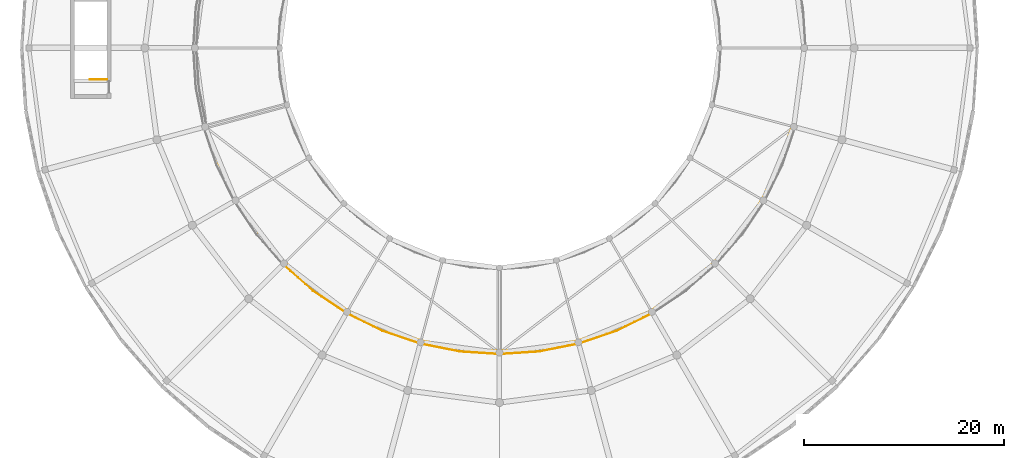
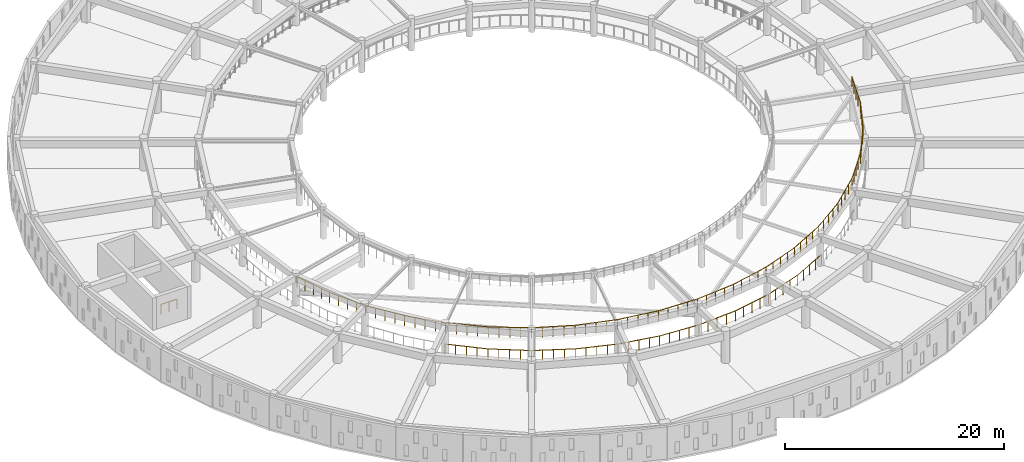
# One storey, part 128 of 155: 3 railings.
"""IFC4 building model written with IfcOpenShell, lengths in metres."""

from ifc_helpers import new_model, si_unit, direction, frame, origin, origin_2d, place, context, subcontext, project, spatial, circle, extrude, material, type_object, element, save


model = new_model("IFC4")

# Units and contexts
model_context = context("Model", 3, precision=1e-05, world=origin(), true_north=direction((0.0, 1.0)))
body_context = subcontext(model_context, "Body", "Model", "MODEL_VIEW")
ifc_project = project(units=[si_unit("LENGTHUNIT", "METRE"), si_unit("AREAUNIT", "SQUARE_METRE"), si_unit("VOLUMEUNIT", "CUBIC_METRE"), si_unit("PLANEANGLEUNIT", "RADIAN"), si_unit("MASSUNIT", "GRAM", prefix="KILO")], contexts=[model_context])

# Site, building, storey
site_placement = place(None, origin())
site = spatial("IfcSite", under=ifc_project, at=site_placement, CompositionType="ELEMENT")
building_placement = place(site_placement, origin())
building = spatial("IfcBuilding", under=site, at=building_placement, Name="Larkveld Mobility Hub", CompositionType="ELEMENT")
storey_placement = place(building_placement, frame((0.0, 0.0, 8.39990234375)))
storey = spatial("IfcBuildingStorey", under=building, at=storey_placement, Name="L02", CompositionType="ELEMENT", Elevation=8.39990234375)

# Railings
ifc_material_1 = material(Name="Galvanized Steel S355JR balustrade", Category="steel")
railing_type_1 = type_object("IfcRailingType", Name="RL-GRD-1100", PredefinedType="GUARDRAIL", material=ifc_material_1)
railing_1_placement = place(storey_placement, frame((8.699951171875, 44.85009765625, 0.0)))
element("IfcRailing", 1, at=railing_1_placement, inside=storey, type_object=railing_type_1, Name="L02 ST7 top well guard 1", PredefinedType="GUARDRAIL", context=body_context, shape_type="SweptSolid", body=[
    extrude(circle(Radius=0.02392578125, at=origin_2d()), frame((0.0, 0.0, 1.076171875), z_axis=(-1.0, 0.0, 0.0), x_axis=(0.0, -1.0, 0.0)), (0.0, 0.0, 1.0), 1.699951171875),
    extrude(circle(Radius=0.02099609375, at=origin_2d()), origin(), (0.0, 0.0, 1.0), 1.052001953125),
    extrude(circle(Radius=0.02099609375, at=origin_2d()), frame((-0.85009765625, 0.0, 0.0)), (0.0, 0.0, 1.0), 1.052001953125),
    extrude(circle(Radius=0.02099609375, at=origin_2d()), frame((-1.699951171875, 0.0, 0.0)), (0.0, 0.0, 1.0), 1.052001953125),
])
ifc_material_2 = material(Name="Anodized aluminium 6063-T6 balustrade", Category="aluminium")
railing_type_2 = type_object("IfcRailingType", Name="RL-GRD-1150", PredefinedType="GUARDRAIL", material=ifc_material_2)
railing_2_placement = place(storey_placement, frame((26.326904296875, 26.326904296875, 0.0)))
element("IfcRailing", 2, at=railing_2_placement, inside=storey, type_object=railing_type_2, Name="Drum Ramp Well Guardrail L02-045", PredefinedType="GUARDRAIL", context=body_context, shape_type="SweptSolid", body=[
    extrude(circle(Radius=0.02392578125, at=origin_2d()), frame((0.0, 0.0, 1.1259765625), z_axis=(0.75190475676, -0.65927174728, 0.0), x_axis=(0.65927174728, 0.75190475676, 0.0)), (0.0, 0.0, 1.0), 4.0087890625),
    extrude(circle(Radius=0.02392578125, at=origin_2d()), frame((3.01416015625, -2.642822265625, 1.1259765625), z_axis=(0.831431571078, -0.555627161516, 0.0), x_axis=(0.555627161516, 0.831431571078, 0.0)), (0.0, 0.0, 1.0), 4.010009765625),
    extrude(circle(Radius=0.02392578125, at=origin_2d()), frame((6.34814453125, -4.870849609375, 1.1259765625), z_axis=(0.89690991287, -0.442213306217, 0.0), x_axis=(0.442213306217, 0.89690991287, 0.0)), (0.0, 0.0, 1.0), 4.00927734375),
    extrude(circle(Radius=0.02392578125, at=origin_2d()), frame((9.944091796875, -6.643798828125, 1.1259765625), z_axis=(0.946889985865, -0.321557700371, 0.0), x_axis=(0.321557700371, 0.946889985865, 0.0)), (0.0, 0.0, 1.0), 4.0087890625),
    extrude(circle(Radius=0.02392578125, at=origin_2d()), frame((13.739990234375, -7.932861328125, 1.1259765625), z_axis=(0.980793233096, -0.195050336869, 0.0), x_axis=(0.195050336869, 0.980793233096, 0.0)), (0.0, 0.0, 1.0), 4.009033203125),
    extrude(circle(Radius=0.02392578125, at=origin_2d()), frame((17.672119140625, -8.71484375, 1.1259765625), z_axis=(0.997863396539, -0.065334844062, 0.0), x_axis=(0.065334844062, 0.997863396539, 0.0)), (0.0, 0.0, 1.0), 4.009521484375),
    extrude(circle(Radius=0.02392578125, at=origin_2d()), frame((21.673095703125, -8.976806640625, 1.1259765625), z_axis=(0.997863396539, 0.065334844062, 0.0), x_axis=(-0.065334844062, 0.997863396539, 0.0)), (0.0, 0.0, 1.0), 4.009521484375),
    extrude(circle(Radius=0.02392578125, at=origin_2d()), frame((25.674072265625, -8.71484375, 1.1259765625), z_axis=(0.980793233096, 0.195050336869, 0.0), x_axis=(-0.195050336869, 0.980793233096, 0.0)), (0.0, 0.0, 1.0), 4.009033203125),
    extrude(circle(Radius=0.02392578125, at=origin_2d()), frame((29.606201171875, -7.932861328125, 1.1259765625), z_axis=(0.946889985865, 0.321557700371, 0.0), x_axis=(-0.321557700371, 0.946889985865, 0.0)), (0.0, 0.0, 1.0), 4.0087890625),
    extrude(circle(Radius=0.02392578125, at=origin_2d()), frame((33.402099609375, -6.643798828125, 1.1259765625), z_axis=(0.89690991287, 0.442213306217, 0.0), x_axis=(-0.442213306217, 0.89690991287, 0.0)), (0.0, 0.0, 1.0), 4.00927734375),
    extrude(circle(Radius=0.02099609375, at=origin_2d()), origin(), (0.0, 0.0, 1.0), 1.101806640625),
    extrude(circle(Radius=0.02099609375, at=origin_2d()), frame((0.75341796875, -0.66064453125, 0.0)), (0.0, 0.0, 1.0), 1.101806640625),
    extrude(circle(Radius=0.02099609375, at=origin_2d()), frame((1.507080078125, -1.3212890625, 0.0)), (0.0, 0.0, 1.0), 1.101806640625),
    extrude(circle(Radius=0.02099609375, at=origin_2d()), frame((2.2607421875, -1.982177734375, 0.0)), (0.0, 0.0, 1.0), 1.101806640625),
    extrude(circle(Radius=0.02099609375, at=origin_2d()), frame((3.01416015625, -2.642822265625, 0.0)), (0.0, 0.0, 1.0), 1.101806640625),
    extrude(circle(Radius=0.02099609375, at=origin_2d()), frame((3.84765625, -3.19970703125, 0.0)), (0.0, 0.0, 1.0), 1.101806640625),
    extrude(circle(Radius=0.02099609375, at=origin_2d()), frame((4.68115234375, -3.7568359375, 0.0)), (0.0, 0.0, 1.0), 1.101806640625),
    extrude(circle(Radius=0.02099609375, at=origin_2d()), frame((5.5146484375, -4.31396484375, 0.0)), (0.0, 0.0, 1.0), 1.101806640625),
    extrude(circle(Radius=0.02099609375, at=origin_2d()), frame((6.34814453125, -4.870849609375, 0.0)), (0.0, 0.0, 1.0), 1.101806640625),
    extrude(circle(Radius=0.02099609375, at=origin_2d()), frame((7.2470703125, -5.31396484375, 0.0)), (0.0, 0.0, 1.0), 1.101806640625),
    extrude(circle(Radius=0.02099609375, at=origin_2d()), frame((8.14599609375, -5.75732421875, 0.0)), (0.0, 0.0, 1.0), 1.101806640625),
    extrude(circle(Radius=0.02099609375, at=origin_2d()), frame((9.045166015625, -6.20068359375, 0.0)), (0.0, 0.0, 1.0), 1.101806640625),
    extrude(circle(Radius=0.02099609375, at=origin_2d()), frame((9.944091796875, -6.643798828125, 0.0)), (0.0, 0.0, 1.0), 1.101806640625),
    extrude(circle(Radius=0.02099609375, at=origin_2d()), frame((10.89306640625, -6.966064453125, 0.0)), (0.0, 0.0, 1.0), 1.101806640625),
    extrude(circle(Radius=0.02099609375, at=origin_2d()), frame((11.842041015625, -7.288330078125, 0.0)), (0.0, 0.0, 1.0), 1.101806640625),
    extrude(circle(Radius=0.02099609375, at=origin_2d()), frame((12.791015625, -7.610595703125, 0.0)), (0.0, 0.0, 1.0), 1.101806640625),
    extrude(circle(Radius=0.02099609375, at=origin_2d()), frame((13.739990234375, -7.932861328125, 0.0)), (0.0, 0.0, 1.0), 1.101806640625),
    extrude(circle(Radius=0.02099609375, at=origin_2d()), frame((14.72314453125, -8.12841796875, 0.0)), (0.0, 0.0, 1.0), 1.101806640625),
    extrude(circle(Radius=0.02099609375, at=origin_2d()), frame((15.7060546875, -8.32373046875, 0.0)), (0.0, 0.0, 1.0), 1.101806640625),
    extrude(circle(Radius=0.02099609375, at=origin_2d()), frame((16.68896484375, -8.519287109375, 0.0)), (0.0, 0.0, 1.0), 1.101806640625),
    extrude(circle(Radius=0.02099609375, at=origin_2d()), frame((17.672119140625, -8.71484375, 0.0)), (0.0, 0.0, 1.0), 1.101806640625),
    extrude(circle(Radius=0.02099609375, at=origin_2d()), frame((18.67236328125, -8.7802734375, 0.0)), (0.0, 0.0, 1.0), 1.101806640625),
    extrude(circle(Radius=0.02099609375, at=origin_2d()), frame((19.672607421875, -8.845703125, 0.0)), (0.0, 0.0, 1.0), 1.101806640625),
    extrude(circle(Radius=0.02099609375, at=origin_2d()), frame((20.6728515625, -8.911376953125, 0.0)), (0.0, 0.0, 1.0), 1.101806640625),
    extrude(circle(Radius=0.02099609375, at=origin_2d()), frame((21.673095703125, -8.976806640625, 0.0)), (0.0, 0.0, 1.0), 1.101806640625),
    extrude(circle(Radius=0.02099609375, at=origin_2d()), frame((22.67333984375, -8.911376953125, 0.0)), (0.0, 0.0, 1.0), 1.101806640625),
    extrude(circle(Radius=0.02099609375, at=origin_2d()), frame((23.673583984375, -8.845703125, 0.0)), (0.0, 0.0, 1.0), 1.101806640625),
    extrude(circle(Radius=0.02099609375, at=origin_2d()), frame((24.673828125, -8.7802734375, 0.0)), (0.0, 0.0, 1.0), 1.101806640625),
    extrude(circle(Radius=0.02099609375, at=origin_2d()), frame((25.674072265625, -8.71484375, 0.0)), (0.0, 0.0, 1.0), 1.101806640625),
    extrude(circle(Radius=0.02099609375, at=origin_2d()), frame((26.6572265625, -8.519287109375, 0.0)), (0.0, 0.0, 1.0), 1.101806640625),
    extrude(circle(Radius=0.02099609375, at=origin_2d()), frame((27.64013671875, -8.32373046875, 0.0)), (0.0, 0.0, 1.0), 1.101806640625),
    extrude(circle(Radius=0.02099609375, at=origin_2d()), frame((28.623046875, -8.12841796875, 0.0)), (0.0, 0.0, 1.0), 1.101806640625),
    extrude(circle(Radius=0.02099609375, at=origin_2d()), frame((29.606201171875, -7.932861328125, 0.0)), (0.0, 0.0, 1.0), 1.101806640625),
    extrude(circle(Radius=0.02099609375, at=origin_2d()), frame((30.55517578125, -7.610595703125, 0.0)), (0.0, 0.0, 1.0), 1.101806640625),
    extrude(circle(Radius=0.02099609375, at=origin_2d()), frame((31.504150390625, -7.288330078125, 0.0)), (0.0, 0.0, 1.0), 1.101806640625),
    extrude(circle(Radius=0.02099609375, at=origin_2d()), frame((32.453125, -6.966064453125, 0.0)), (0.0, 0.0, 1.0), 1.101806640625),
    extrude(circle(Radius=0.02099609375, at=origin_2d()), frame((33.402099609375, -6.643798828125, 0.0)), (0.0, 0.0, 1.0), 1.101806640625),
    extrude(circle(Radius=0.02099609375, at=origin_2d()), frame((34.301025390625, -6.20068359375, 0.0)), (0.0, 0.0, 1.0), 1.101806640625),
    extrude(circle(Radius=0.02099609375, at=origin_2d()), frame((35.2001953125, -5.75732421875, 0.0)), (0.0, 0.0, 1.0), 1.101806640625),
    extrude(circle(Radius=0.02099609375, at=origin_2d()), frame((36.09912109375, -5.31396484375, 0.0)), (0.0, 0.0, 1.0), 1.101806640625),
    extrude(circle(Radius=0.02099609375, at=origin_2d()), frame((36.998046875, -4.870849609375, 0.0)), (0.0, 0.0, 1.0), 1.101806640625),
])
ifc_material_3 = material(Name="Galvanized Steel S355JR vehicle-deck guard", Category="steel")
railing_type_3 = type_object("IfcRailingType", Name="RL-GRD-RMP", PredefinedType="GUARDRAIL", material=ifc_material_3)
railing_3_placement = place(storey_placement, frame((18.68408203125, 40.14501953125, 1.800048828125)))
element("IfcRailing", 3, at=railing_3_placement, inside=storey, type_object=railing_type_3, Name="Helical Ramp Outer Sloped Guard T2 L02-020", PredefinedType="GUARDRAIL", context=body_context, shape_type="SweptSolid", body=[
    extrude(circle(Radius=0.02392578125, at=origin_2d()), frame((0.0, 0.0, 1.1259765625), z_axis=(0.321324898767, -0.946697180695, 0.022688267823), x_axis=(0.94694093454, 0.321407632909, 0.0)), (0.0, 0.0, 1.0), 3.970703125),
    extrude(circle(Radius=0.02392578125, at=origin_2d()), frame((1.27587890625, -3.759033203125, 1.2158203125), z_axis=(0.442174555165, -0.896643689926, 0.022622026456), x_axis=(0.896873209453, 0.442287741368, 0.0)), (0.0, 0.0, 1.0), 3.971435546875),
    extrude(circle(Radius=0.02392578125, at=origin_2d()), frame((3.031982421875, -7.320068359375, 1.3056640625), z_axis=(0.555493426534, -0.831211445348, 0.022684492518), x_axis=(0.831425392892, 0.555636406344, 0.0)), (0.0, 0.0, 1.0), 3.971435546875),
    extrude(circle(Radius=0.02392578125, at=origin_2d()), frame((5.238037109375, -10.62109375, 1.39599609375), z_axis=(0.659074793901, -0.751735090049, 0.022688552939), x_axis=(0.75192865028, 0.659244495531, 0.0)), (0.0, 0.0, 1.0), 3.970703125),
    extrude(circle(Radius=0.02392578125, at=origin_2d()), frame((7.85498046875, -13.60595703125, 1.48583984375), z_axis=(0.751736137332, -0.659075712094, 0.022627097868), x_axis=(0.659244495531, 0.75192865028, 0.0)), (0.0, 0.0, 1.0), 3.970703125),
    extrude(circle(Radius=0.02392578125, at=origin_2d()), frame((10.83984375, -16.222900390625, 1.57568359375), z_axis=(0.831211445348, -0.555493426534, 0.022684492518), x_axis=(0.555636406344, 0.831425392892, 0.0)), (0.0, 0.0, 1.0), 3.971435546875),
    extrude(circle(Radius=0.02392578125, at=origin_2d()), frame((14.140869140625, -18.428955078125, 1.666015625), z_axis=(0.896642441324, -0.442173939424, 0.022683467767), x_axis=(0.442287741368, 0.896873209453, 0.0)), (0.0, 0.0, 1.0), 3.971435546875),
    extrude(circle(Radius=0.02392578125, at=origin_2d()), frame((17.701904296875, -20.18505859375, 1.755859375), z_axis=(0.946698499557, -0.321325346411, 0.022626813525), x_axis=(0.321407632909, 0.94694093454, 0.0)), (0.0, 0.0, 1.0), 3.970703125),
    extrude(circle(Radius=0.02392578125, at=origin_2d()), frame((21.4609375, -21.4609375, 1.845703125), z_axis=(0.9805523208, -0.194942408104, 0.022684878143), x_axis=(0.194992586513, 0.980804716141, 0.0)), (0.0, 0.0, 1.0), 3.97119140625),
    extrude(circle(Radius=0.02392578125, at=origin_2d()), frame((25.35498046875, -22.235107421875, 1.93603515625), z_axis=(0.997595519561, -0.065485652634, 0.022689395138), x_axis=(0.065502515435, 0.997852404152, 0.0)), (0.0, 0.0, 1.0), 3.970458984375),
    extrude(circle(Radius=0.02392578125, at=origin_2d()), frame((29.31591796875, -22.4951171875, 2.02587890625), z_axis=(0.997596909468, 0.065485743872, 0.022627937789), x_axis=(-0.065502515435, 0.997852404152, 0.0)), (0.0, 0.0, 1.0), 3.970458984375),
    extrude(circle(Radius=0.02392578125, at=origin_2d()), frame((33.27685546875, -22.235107421875, 2.11572265625), z_axis=(0.9805523208, 0.194942408104, 0.022684878143), x_axis=(-0.194992586513, 0.980804716141, 0.0)), (0.0, 0.0, 1.0), 3.97119140625),
    extrude(circle(Radius=0.02392578125, at=origin_2d()), frame((37.1708984375, -21.4609375, 2.2060546875), z_axis=(0.946697180695, 0.321324898767, 0.022688267823), x_axis=(-0.321407632909, 0.94694093454, 0.0)), (0.0, 0.0, 1.0), 3.970703125),
    extrude(circle(Radius=0.02392578125, at=origin_2d()), frame((40.929931640625, -20.18505859375, 2.2958984375), z_axis=(0.896643689926, 0.442174555165, 0.022622026456), x_axis=(-0.442287741368, 0.896873209453, 0.0)), (0.0, 0.0, 1.0), 3.971435546875),
    extrude(circle(Radius=0.02392578125, at=origin_2d()), frame((44.490966796875, -18.428955078125, 2.3857421875), z_axis=(0.831211445348, 0.555493426534, 0.022684492518), x_axis=(-0.555636406344, 0.831425392892, 0.0)), (0.0, 0.0, 1.0), 3.971435546875),
    extrude(circle(Radius=0.02392578125, at=origin_2d()), frame((47.7919921875, -16.222900390625, 2.47607421875), z_axis=(0.751736137332, 0.659075712094, 0.022627097868), x_axis=(-0.659244495531, 0.75192865028, 0.0)), (0.0, 0.0, 1.0), 3.970703125),
    extrude(circle(Radius=0.02392578125, at=origin_2d()), frame((50.77685546875, -13.60595703125, 2.56591796875), z_axis=(0.659074793901, 0.751735090049, 0.022688552939), x_axis=(-0.75192865028, 0.659244495531, 0.0)), (0.0, 0.0, 1.0), 3.970703125),
    extrude(circle(Radius=0.02392578125, at=origin_2d()), frame((53.393798828125, -10.62109375, 2.65576171875), z_axis=(0.555493426534, 0.831211445348, 0.022684492518), x_axis=(-0.831425392892, 0.555636406344, 0.0)), (0.0, 0.0, 1.0), 3.971435546875),
    extrude(circle(Radius=0.02392578125, at=origin_2d()), frame((55.599853515625, -7.320068359375, 2.74609375), z_axis=(0.442174555165, 0.896643689926, 0.022622026456), x_axis=(-0.896873209453, 0.442287741368, 0.0)), (0.0, 0.0, 1.0), 3.971435546875),
    extrude(circle(Radius=0.02392578125, at=origin_2d()), frame((57.35595703125, -3.759033203125, 2.8359375), z_axis=(0.321324898767, 0.946697180695, 0.022688267823), x_axis=(-0.94694093454, 0.321407632909, 0.0)), (0.0, 0.0, 1.0), 3.970703125),
    extrude(circle(Radius=0.02099609375, at=origin_2d()), origin(), (0.0, 0.0, 1.0), 1.101806640625),
    extrude(circle(Radius=0.02099609375, at=origin_2d()), frame((0.31884765625, -0.939697265625, 0.0224609375)), (0.0, 0.0, 1.0), 1.101806640625),
    extrude(circle(Radius=0.02099609375, at=origin_2d()), frame((0.637939453125, -1.87939453125, 0.044921875)), (0.0, 0.0, 1.0), 1.101806640625),
    extrude(circle(Radius=0.02099609375, at=origin_2d()), frame((0.95703125, -2.8193359375, 0.067626953125)), (0.0, 0.0, 1.0), 1.101806640625),
    extrude(circle(Radius=0.02099609375, at=origin_2d()), frame((1.27587890625, -3.759033203125, 0.090087890625)), (0.0, 0.0, 1.0), 1.101806640625),
    extrude(circle(Radius=0.02099609375, at=origin_2d()), frame((1.71484375, -4.6494140625, 0.112548828125)), (0.0, 0.0, 1.0), 1.101806640625),
    extrude(circle(Radius=0.02099609375, at=origin_2d()), frame((2.15380859375, -5.53955078125, 0.135009765625)), (0.0, 0.0, 1.0), 1.101806640625),
    extrude(circle(Radius=0.02099609375, at=origin_2d()), frame((2.593017578125, -6.4296875, 0.157470703125)), (0.0, 0.0, 1.0), 1.101806640625),
    extrude(circle(Radius=0.02099609375, at=origin_2d()), frame((3.031982421875, -7.320068359375, 0.179931640625)), (0.0, 0.0, 1.0), 1.101806640625),
    extrude(circle(Radius=0.02099609375, at=origin_2d()), frame((3.58349609375, -8.145263671875, 0.202392578125)), (0.0, 0.0, 1.0), 1.101806640625),
    extrude(circle(Radius=0.02099609375, at=origin_2d()), frame((4.135009765625, -8.970703125, 0.22509765625)), (0.0, 0.0, 1.0), 1.101806640625),
    extrude(circle(Radius=0.02099609375, at=origin_2d()), frame((4.6865234375, -9.7958984375, 0.24755859375)), (0.0, 0.0, 1.0), 1.101806640625),
    extrude(circle(Radius=0.02099609375, at=origin_2d()), frame((5.238037109375, -10.62109375, 0.27001953125)), (0.0, 0.0, 1.0), 1.101806640625),
    extrude(circle(Radius=0.02099609375, at=origin_2d()), frame((5.892333984375, -11.3671875, 0.29248046875)), (0.0, 0.0, 1.0), 1.101806640625),
    extrude(circle(Radius=0.02099609375, at=origin_2d()), frame((6.54638671875, -12.113525390625, 0.31494140625)), (0.0, 0.0, 1.0), 1.101806640625),
    extrude(circle(Radius=0.02099609375, at=origin_2d()), frame((7.20068359375, -12.85986328125, 0.337646484375)), (0.0, 0.0, 1.0), 1.101806640625),
    extrude(circle(Radius=0.02099609375, at=origin_2d()), frame((7.85498046875, -13.60595703125, 0.360107421875)), (0.0, 0.0, 1.0), 1.101806640625),
    extrude(circle(Radius=0.02099609375, at=origin_2d()), frame((8.60107421875, -14.26025390625, 0.382568359375)), (0.0, 0.0, 1.0), 1.101806640625),
    extrude(circle(Radius=0.02099609375, at=origin_2d()), frame((9.347412109375, -14.91455078125, 0.405029296875)), (0.0, 0.0, 1.0), 1.101806640625),
    extrude(circle(Radius=0.02099609375, at=origin_2d()), frame((10.09375, -15.568603515625, 0.427490234375)), (0.0, 0.0, 1.0), 1.101806640625),
    extrude(circle(Radius=0.02099609375, at=origin_2d()), frame((10.83984375, -16.222900390625, 0.449951171875)), (0.0, 0.0, 1.0), 1.101806640625),
    extrude(circle(Radius=0.02099609375, at=origin_2d()), frame((11.6650390625, -16.7744140625, 0.472412109375)), (0.0, 0.0, 1.0), 1.101806640625),
    extrude(circle(Radius=0.02099609375, at=origin_2d()), frame((12.490234375, -17.325927734375, 0.4951171875)), (0.0, 0.0, 1.0), 1.101806640625),
    extrude(circle(Radius=0.02099609375, at=origin_2d()), frame((13.315673828125, -17.87744140625, 0.517578125)), (0.0, 0.0, 1.0), 1.101806640625),
    extrude(circle(Radius=0.02099609375, at=origin_2d()), frame((14.140869140625, -18.428955078125, 0.5400390625)), (0.0, 0.0, 1.0), 1.101806640625),
    extrude(circle(Radius=0.02099609375, at=origin_2d()), frame((15.03125, -18.867919921875, 0.5625)), (0.0, 0.0, 1.0), 1.101806640625),
    extrude(circle(Radius=0.02099609375, at=origin_2d()), frame((15.92138671875, -19.30712890625, 0.5849609375)), (0.0, 0.0, 1.0), 1.101806640625),
    extrude(circle(Radius=0.02099609375, at=origin_2d()), frame((16.8115234375, -19.74609375, 0.607666015625)), (0.0, 0.0, 1.0), 1.101806640625),
    extrude(circle(Radius=0.02099609375, at=origin_2d()), frame((17.701904296875, -20.18505859375, 0.630126953125)), (0.0, 0.0, 1.0), 1.101806640625),
    extrude(circle(Radius=0.02099609375, at=origin_2d()), frame((18.6416015625, -20.50390625, 0.652587890625)), (0.0, 0.0, 1.0), 1.101806640625),
    extrude(circle(Radius=0.02099609375, at=origin_2d()), frame((19.58154296875, -20.822998046875, 0.675048828125)), (0.0, 0.0, 1.0), 1.101806640625),
    extrude(circle(Radius=0.02099609375, at=origin_2d()), frame((20.521240234375, -21.14208984375, 0.697509765625)), (0.0, 0.0, 1.0), 1.101806640625),
    extrude(circle(Radius=0.02099609375, at=origin_2d()), frame((21.4609375, -21.4609375, 0.719970703125)), (0.0, 0.0, 1.0), 1.101806640625),
    extrude(circle(Radius=0.02099609375, at=origin_2d()), frame((22.4345703125, -21.654541015625, 0.742431640625)), (0.0, 0.0, 1.0), 1.101806640625),
    extrude(circle(Radius=0.02099609375, at=origin_2d()), frame((23.407958984375, -21.84814453125, 0.76513671875)), (0.0, 0.0, 1.0), 1.101806640625),
    extrude(circle(Radius=0.02099609375, at=origin_2d()), frame((24.38134765625, -22.04150390625, 0.78759765625)), (0.0, 0.0, 1.0), 1.101806640625),
    extrude(circle(Radius=0.02099609375, at=origin_2d()), frame((25.35498046875, -22.235107421875, 0.81005859375)), (0.0, 0.0, 1.0), 1.101806640625),
    extrude(circle(Radius=0.02099609375, at=origin_2d()), frame((26.34521484375, -22.300048828125, 0.83251953125)), (0.0, 0.0, 1.0), 1.101806640625),
    extrude(circle(Radius=0.02099609375, at=origin_2d()), frame((27.33544921875, -22.365234375, 0.85498046875)), (0.0, 0.0, 1.0), 1.101806640625),
    extrude(circle(Radius=0.02099609375, at=origin_2d()), frame((28.32568359375, -22.43017578125, 0.877685546875)), (0.0, 0.0, 1.0), 1.101806640625),
    extrude(circle(Radius=0.02099609375, at=origin_2d()), frame((29.31591796875, -22.4951171875, 0.900146484375)), (0.0, 0.0, 1.0), 1.101806640625),
    extrude(circle(Radius=0.02099609375, at=origin_2d()), frame((30.30615234375, -22.43017578125, 0.922607421875)), (0.0, 0.0, 1.0), 1.101806640625),
    extrude(circle(Radius=0.02099609375, at=origin_2d()), frame((31.29638671875, -22.365234375, 0.945068359375)), (0.0, 0.0, 1.0), 1.101806640625),
    extrude(circle(Radius=0.02099609375, at=origin_2d()), frame((32.28662109375, -22.300048828125, 0.967529296875)), (0.0, 0.0, 1.0), 1.101806640625),
    extrude(circle(Radius=0.02099609375, at=origin_2d()), frame((33.27685546875, -22.235107421875, 0.989990234375)), (0.0, 0.0, 1.0), 1.101806640625),
    extrude(circle(Radius=0.02099609375, at=origin_2d()), frame((34.25048828125, -22.04150390625, 1.012451171875)), (0.0, 0.0, 1.0), 1.101806640625),
    extrude(circle(Radius=0.02099609375, at=origin_2d()), frame((35.223876953125, -21.84814453125, 1.03515625)), (0.0, 0.0, 1.0), 1.101806640625),
    extrude(circle(Radius=0.02099609375, at=origin_2d()), frame((36.197265625, -21.654541015625, 1.0576171875)), (0.0, 0.0, 1.0), 1.101806640625),
    extrude(circle(Radius=0.02099609375, at=origin_2d()), frame((37.1708984375, -21.4609375, 1.080078125)), (0.0, 0.0, 1.0), 1.101806640625),
    extrude(circle(Radius=0.02099609375, at=origin_2d()), frame((38.110595703125, -21.14208984375, 1.1025390625)), (0.0, 0.0, 1.0), 1.101806640625),
    extrude(circle(Radius=0.02099609375, at=origin_2d()), frame((39.05029296875, -20.822998046875, 1.125)), (0.0, 0.0, 1.0), 1.101806640625),
    extrude(circle(Radius=0.02099609375, at=origin_2d()), frame((39.990234375, -20.50390625, 1.147705078125)), (0.0, 0.0, 1.0), 1.101806640625),
    extrude(circle(Radius=0.02099609375, at=origin_2d()), frame((40.929931640625, -20.18505859375, 1.170166015625)), (0.0, 0.0, 1.0), 1.101806640625),
    extrude(circle(Radius=0.02099609375, at=origin_2d()), frame((41.8203125, -19.74609375, 1.192626953125)), (0.0, 0.0, 1.0), 1.101806640625),
    extrude(circle(Radius=0.02099609375, at=origin_2d()), frame((42.71044921875, -19.30712890625, 1.215087890625)), (0.0, 0.0, 1.0), 1.101806640625),
    extrude(circle(Radius=0.02099609375, at=origin_2d()), frame((43.6005859375, -18.867919921875, 1.237548828125)), (0.0, 0.0, 1.0), 1.101806640625),
    extrude(circle(Radius=0.02099609375, at=origin_2d()), frame((44.490966796875, -18.428955078125, 1.260009765625)), (0.0, 0.0, 1.0), 1.101806640625),
    extrude(circle(Radius=0.02099609375, at=origin_2d()), frame((45.316162109375, -17.87744140625, 1.282470703125)), (0.0, 0.0, 1.0), 1.101806640625),
    extrude(circle(Radius=0.02099609375, at=origin_2d()), frame((46.1416015625, -17.325927734375, 1.30517578125)), (0.0, 0.0, 1.0), 1.101806640625),
    extrude(circle(Radius=0.02099609375, at=origin_2d()), frame((46.966796875, -16.7744140625, 1.32763671875)), (0.0, 0.0, 1.0), 1.101806640625),
    extrude(circle(Radius=0.02099609375, at=origin_2d()), frame((47.7919921875, -16.222900390625, 1.35009765625)), (0.0, 0.0, 1.0), 1.101806640625),
    extrude(circle(Radius=0.02099609375, at=origin_2d()), frame((48.5380859375, -15.568603515625, 1.37255859375)), (0.0, 0.0, 1.0), 1.101806640625),
    extrude(circle(Radius=0.02099609375, at=origin_2d()), frame((49.284423828125, -14.91455078125, 1.39501953125)), (0.0, 0.0, 1.0), 1.101806640625),
    extrude(circle(Radius=0.02099609375, at=origin_2d()), frame((50.03076171875, -14.26025390625, 1.41748046875)), (0.0, 0.0, 1.0), 1.101806640625),
    extrude(circle(Radius=0.02099609375, at=origin_2d()), frame((50.77685546875, -13.60595703125, 1.43994140625)), (0.0, 0.0, 1.0), 1.101806640625),
    extrude(circle(Radius=0.02099609375, at=origin_2d()), frame((51.43115234375, -12.85986328125, 1.46240234375)), (0.0, 0.0, 1.0), 1.101806640625),
    extrude(circle(Radius=0.02099609375, at=origin_2d()), frame((52.08544921875, -12.113525390625, 1.48486328125)), (0.0, 0.0, 1.0), 1.101806640625),
    extrude(circle(Radius=0.02099609375, at=origin_2d()), frame((52.739501953125, -11.3671875, 1.507568359375)), (0.0, 0.0, 1.0), 1.101806640625),
    extrude(circle(Radius=0.02099609375, at=origin_2d()), frame((53.393798828125, -10.62109375, 1.530029296875)), (0.0, 0.0, 1.0), 1.101806640625),
    extrude(circle(Radius=0.02099609375, at=origin_2d()), frame((53.9453125, -9.7958984375, 1.552490234375)), (0.0, 0.0, 1.0), 1.101806640625),
    extrude(circle(Radius=0.02099609375, at=origin_2d()), frame((54.496826171875, -8.970703125, 1.5751953125)), (0.0, 0.0, 1.0), 1.101806640625),
    extrude(circle(Radius=0.02099609375, at=origin_2d()), frame((55.04833984375, -8.145263671875, 1.59765625)), (0.0, 0.0, 1.0), 1.101806640625),
    extrude(circle(Radius=0.02099609375, at=origin_2d()), frame((55.599853515625, -7.320068359375, 1.6201171875)), (0.0, 0.0, 1.0), 1.101806640625),
    extrude(circle(Radius=0.02099609375, at=origin_2d()), frame((56.038818359375, -6.4296875, 1.642578125)), (0.0, 0.0, 1.0), 1.101806640625),
    extrude(circle(Radius=0.02099609375, at=origin_2d()), frame((56.47802734375, -5.53955078125, 1.6650390625)), (0.0, 0.0, 1.0), 1.101806640625),
    extrude(circle(Radius=0.02099609375, at=origin_2d()), frame((56.9169921875, -4.6494140625, 1.6875)), (0.0, 0.0, 1.0), 1.101806640625),
    extrude(circle(Radius=0.02099609375, at=origin_2d()), frame((57.35595703125, -3.759033203125, 1.7099609375)), (0.0, 0.0, 1.0), 1.101806640625),
    extrude(circle(Radius=0.02099609375, at=origin_2d()), frame((57.6748046875, -2.8193359375, 1.732421875)), (0.0, 0.0, 1.0), 1.101806640625),
    extrude(circle(Radius=0.02099609375, at=origin_2d()), frame((57.993896484375, -1.87939453125, 1.7548828125)), (0.0, 0.0, 1.0), 1.101806640625),
    extrude(circle(Radius=0.02099609375, at=origin_2d()), frame((58.31298828125, -0.939697265625, 1.777587890625)), (0.0, 0.0, 1.0), 1.101806640625),
    extrude(circle(Radius=0.02099609375, at=origin_2d()), frame((58.6318359375, 0.0, 1.800048828125)), (0.0, 0.0, 1.0), 1.101806640625),
])

save(model, "model.ifc")
